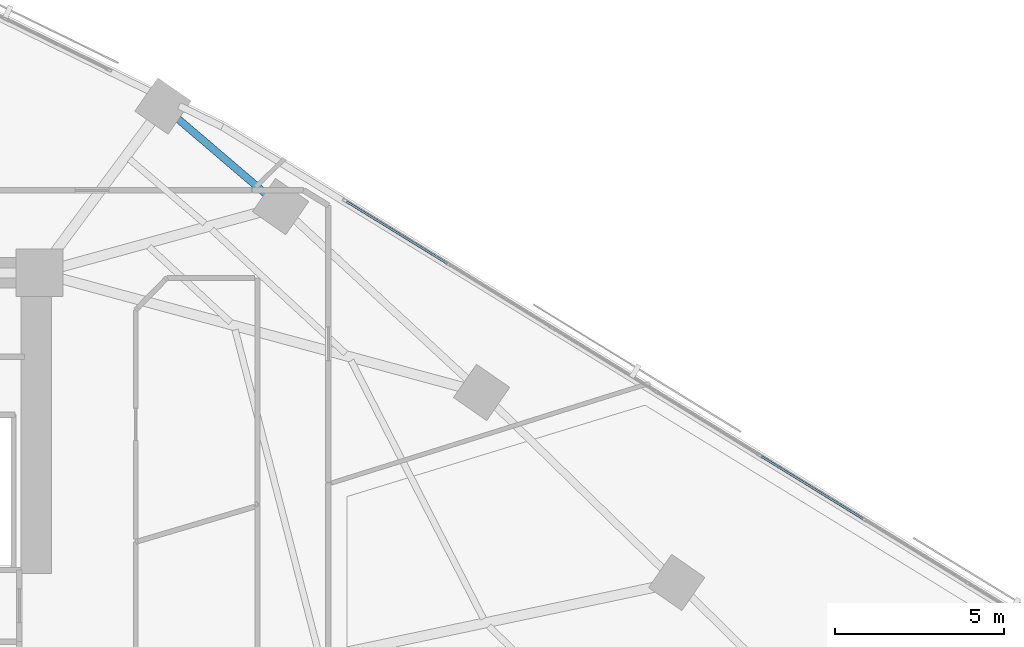
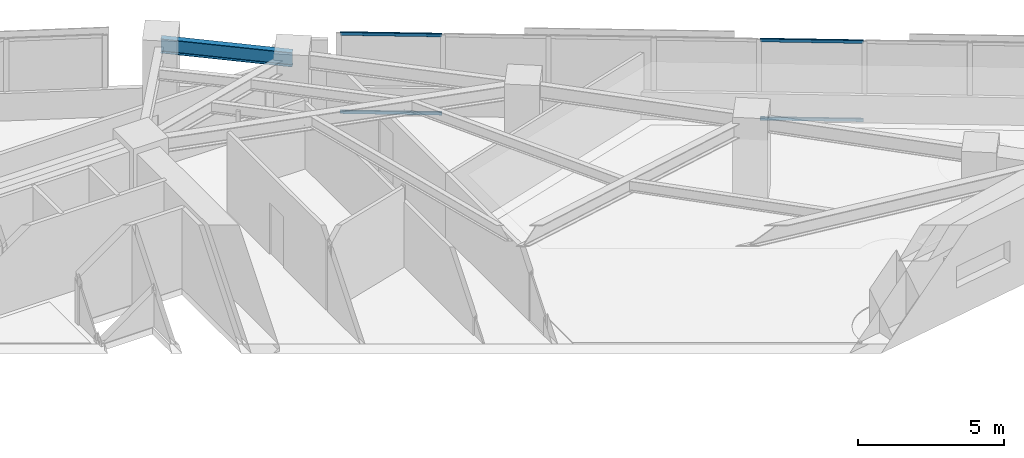
# One storey, part 7 of 19: 4 members, 1 beam, 1 element without a shape of its own.
"""IFC4 building model written with IfcOpenShell, lengths in metres."""

from ifc_helpers import new_model, si_unit, direction, frame, origin, origin_2d, place, context, subcontext, project, spatial, hollow_rectangle, i_section, extrude, material, material_profile, profile_set, type_object, element, aggregate, save


model = new_model("IFC4")

# Units and contexts
model_context = context("Model", 3, precision=1e-05, world=origin(), true_north=direction((0.0, 1.0)))
body_context = subcontext(model_context, "Body", "Model", "MODEL_VIEW")
ifc_project = project(units=[si_unit("LENGTHUNIT", "METRE"), si_unit("AREAUNIT", "SQUARE_METRE"), si_unit("VOLUMEUNIT", "CUBIC_METRE"), si_unit("PLANEANGLEUNIT", "RADIAN"), si_unit("MASSUNIT", "GRAM", prefix="KILO")], contexts=[model_context])

# Site, building, storey
site_placement = place(None, origin())
site = spatial("IfcSite", under=ifc_project, at=site_placement, CompositionType="ELEMENT")
building_placement = place(site_placement, origin())
building = spatial("IfcBuilding", under=site, at=building_placement, Name="Narakoshi Arena Tower", CompositionType="ELEMENT")
storey_placement = place(building_placement, frame((0.0, 0.0, 117.300048828125)))
storey = spatial("IfcBuildingStorey", under=building, at=storey_placement, Name="L31", CompositionType="ELEMENT", Elevation=117.300048828125)

# Beam
ifc_material_1 = material(Name="Structural steel S355J2", Category="steel")
ifc_material_profile_1 = material_profile(ifc_material_1, i_section(OverallWidth=0.219970703125, OverallDepth=0.60009765625, WebThickness=0.011962890625, FlangeThickness=0.01904296875, FilletRadius=0.02392578125, at=origin_2d()), Name="IPE600")
ifc_profile_set_1 = profile_set([ifc_material_profile_1], Name="Structural steel S355J2")
beam_type = type_object("IfcBeamType", Name="BM-EDGE-600", PredefinedType="BEAM", material=ifc_profile_set_1)
beam_placement = place(storey_placement, frame((92.68994140625, 58.462890625, 3.0400390625), z_axis=(-0.760410417533, 0.64944283575, 0.0), x_axis=(-0.64944283575, -0.760410417533, 0.0)))
element("IfcBeam", 1, at=beam_placement, inside=storey, type_object=beam_type, Name="L31 Perimeter Edge Girder 07", PredefinedType="BEAM", context=body_context, shape_type="SweptSolid", body=[
    extrude(i_section(OverallWidth=0.219970703125, OverallDepth=0.60009765625, WebThickness=0.011962890625, FlangeThickness=0.01904296875, FilletRadius=0.02392578125, at=origin_2d()), origin(), (0.0, 0.0, 1.0), 4.58056640625),
])

# Curtain wall, members
ifc_material_2 = material(Name="Anodised bronze aluminium 6063-T6", Category="aluminium")
curtain_wall_type = type_object("IfcCurtainWallType", Name="CW-HYP-LOW", PredefinedType="NOTDEFINED", material=ifc_material_2)
curtain_wall_placement = place(storey_placement, origin())
curtain_wall = element("IfcCurtainWall", 2, at=curtain_wall_placement, inside=storey, type_object=curtain_wall_type, Name="L31 Folded Hypotenuse Curtain Wall 1-1", PredefinedType="NOTDEFINED")
ifc_material_profile_2 = material_profile(ifc_material_2, hollow_rectangle(XDim=0.06494140625, YDim=0.1298828125, WallThickness=0.00390625, OuterFilletRadius=0.0048828125, at=origin_2d()), Name="TRN130x65x4")
ifc_profile_set_2 = profile_set([ifc_material_profile_2], Name="Anodised bronze aluminium 6063-T6")
member_type = type_object("IfcMemberType", Name="MEM-TRN-130", PredefinedType="USERDEFINED", material=ifc_profile_set_2)
member_1_placement = place(storey_placement, frame((109.931884765625, 49.218017578125, 0.032470703125), z_axis=(-0.852103699909, 0.523372988032, 0.0), x_axis=(-0.523372988032, -0.852103699909, 0.0)))
member_1 = element("IfcMember", 3, at=member_1_placement, type_object=member_type, Name="CW-01 transom 4.1", ObjectType="TRANSOM", PredefinedType="USERDEFINED", context=body_context, shape_type="SweptSolid", body=[
    extrude(hollow_rectangle(XDim=0.06494140625, YDim=0.1298828125, WallThickness=0.00390625, OuterFilletRadius=0.0048828125, at=origin_2d()), origin(), (0.0, 0.0, 1.0), 3.535888671875),
])
member_2_placement = place(storey_placement, frame((109.931884765625, 49.218017578125, 3.307373046875), z_axis=(-0.852103699909, 0.523372988032, 0.0), x_axis=(-0.523372988032, -0.852103699909, 0.0)))
member_2 = element("IfcMember", 4, at=member_2_placement, type_object=member_type, Name="CW-01 transom 4.2", ObjectType="TRANSOM", PredefinedType="USERDEFINED", context=body_context, shape_type="SweptSolid", body=[
    extrude(hollow_rectangle(XDim=0.06494140625, YDim=0.1298828125, WallThickness=0.00390625, OuterFilletRadius=0.0048828125, at=origin_2d()), origin(), (0.0, 0.0, 1.0), 3.535888671875),
])
member_3_placement = place(storey_placement, frame((97.624267578125, 56.777099609375, 0.032470703125), z_axis=(-0.852089324923, 0.52339639123, 0.0), x_axis=(-0.52339639123, -0.852089324923, 0.0)))
member_3 = element("IfcMember", 5, at=member_3_placement, type_object=member_type, Name="CW-01 transom 8.1", ObjectType="TRANSOM", PredefinedType="USERDEFINED", context=body_context, shape_type="SweptSolid", body=[
    extrude(hollow_rectangle(XDim=0.06494140625, YDim=0.1298828125, WallThickness=0.00390625, OuterFilletRadius=0.0048828125, at=origin_2d()), origin(), (0.0, 0.0, 1.0), 3.498291015625),
])
member_4_placement = place(storey_placement, frame((97.624267578125, 56.777099609375, 3.307373046875), z_axis=(-0.852089324923, 0.52339639123, 0.0), x_axis=(-0.52339639123, -0.852089324923, 0.0)))
member_4 = element("IfcMember", 6, at=member_4_placement, type_object=member_type, Name="CW-01 transom 8.2", ObjectType="TRANSOM", PredefinedType="USERDEFINED", context=body_context, shape_type="SweptSolid", body=[
    extrude(hollow_rectangle(XDim=0.06494140625, YDim=0.1298828125, WallThickness=0.00390625, OuterFilletRadius=0.0048828125, at=origin_2d()), origin(), (0.0, 0.0, 1.0), 3.498291015625),
])
aggregate(curtain_wall, [member_1, member_2, member_3, member_4])

save(model, "model.ifc")
